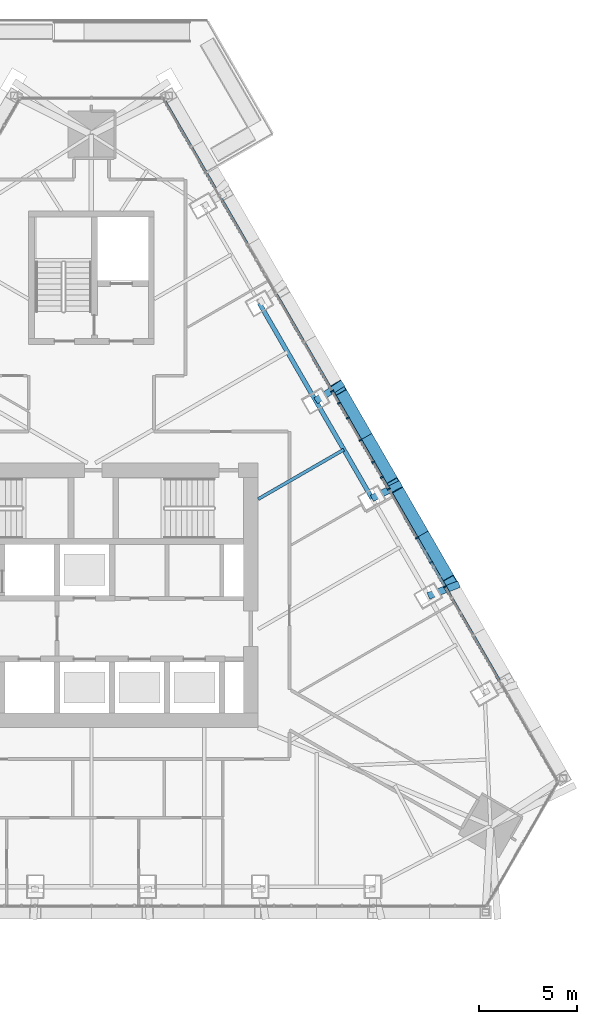
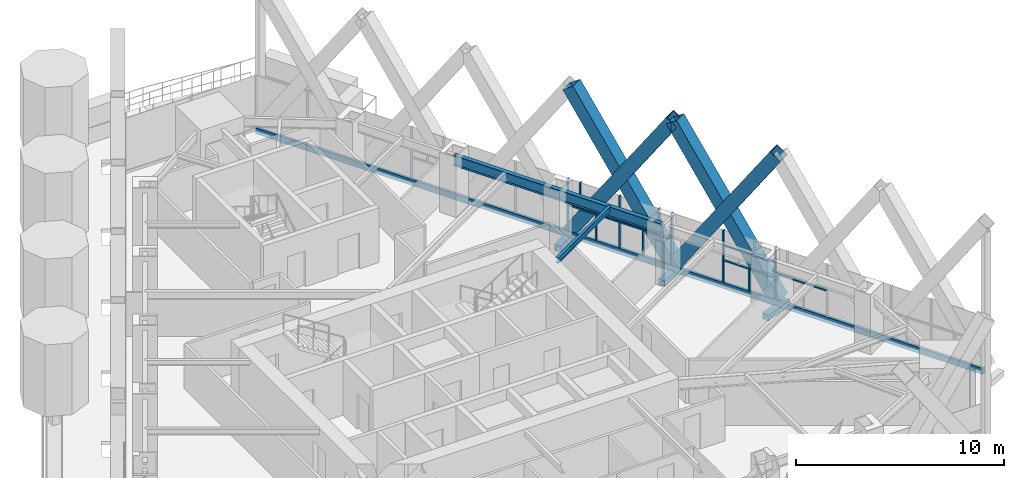
# One storey, part 6 of 24: 23 members, 2 beams, 1 element without a shape of its own.
"""IFC4 building model written with IfcOpenShell, lengths in metres."""

from ifc_helpers import new_model, si_unit, direction, frame, origin, origin_2d, place, context, subcontext, project, spatial, rectangle, hollow_rectangle, i_section, extrude, material, layer, layer_set, material_profile, profile_set, type_object, element, aggregate, save


model = new_model("IFC4")

# Units and contexts
model_context = context("Model", 3, precision=1e-05, world=origin(), true_north=direction((0.0, 1.0)))
body_context = subcontext(model_context, "Body", "Model", "MODEL_VIEW")
ifc_project = project(units=[si_unit("LENGTHUNIT", "METRE"), si_unit("AREAUNIT", "SQUARE_METRE"), si_unit("VOLUMEUNIT", "CUBIC_METRE"), si_unit("PLANEANGLEUNIT", "RADIAN"), si_unit("MASSUNIT", "GRAM", prefix="KILO")], contexts=[model_context])

# Site, building, storey
site_placement = place(None, origin())
site = spatial("IfcSite", under=ifc_project, at=site_placement, CompositionType="ELEMENT")
building_placement = place(site_placement, origin())
building = spatial("IfcBuilding", under=site, at=building_placement, Name="Firuza Gate Tower and Library", CompositionType="ELEMENT")
storey_placement = place(building_placement, frame((0.0, 0.0, 323.10009765625)))
storey = spatial("IfcBuildingStorey", under=building, at=storey_placement, Name="L79", CompositionType="ELEMENT", Elevation=323.10009765625)

# Members
ifc_material_1 = material(Name="Steel S355", Category="steel")
ifc_material_profile_1 = material_profile(ifc_material_1, hollow_rectangle(XDim=0.699951171875, YDim=0.699951171875, WallThickness=0.030029296875, at=origin_2d()))
ifc_profile_set_1 = profile_set([ifc_material_profile_1], Name="Steel S355")
member_type_1 = type_object("IfcMemberType", Name="BU700x700x30 Lattice brace", PredefinedType="BRACE", material=ifc_profile_set_1)
for number, where, z_axis, x_axis, name in (
    (1, (93.306396484375, 75.620361328125, 0.0), (-0.279961464902, 0.484887355268, 0.82855647416), (-0.866016417261, -0.500015564793, 0.0), "Lattice brace E 21.3R"),
    (2, (90.434326171875, 80.5947265625, 0.0), (0.279961464902, -0.484887355268, 0.82855647416), (0.866016417261, 0.500015564793, 0.0), "Lattice brace E 21.3L"),
    (3, (90.434326171875, 80.5947265625, 0.0), (-0.279939531792, 0.484890585756, 0.828561994292), (-0.866034822164, -0.499983686533, 0.0), "Lattice brace E 21.4R"),
    (4, (87.5625, 85.569091796875, 0.0), (0.279939531792, -0.484890585756, 0.828561994292), (0.866034822164, 0.499983686533, 0.0), "Lattice brace E 21.4L"),
):
    element("IfcMember", number, at=place(storey_placement, frame(where, z_axis=z_axis, x_axis=x_axis)), inside=storey, type_object=member_type_1, Name=name, PredefinedType="BRACE", context=body_context, shape_type="SweptSolid", body=[
        extrude(hollow_rectangle(XDim=0.699951171875, YDim=0.699951171875, WallThickness=0.030029296875, at=origin_2d()), origin(), (0.0, 0.0, 1.0), 10.2587890625),
    ])

# Curtain wall, members
ifc_material_2 = material(Name="Aluminium 6063-T6", Category="aluminium")
ifc_layer = layer(ifc_material_2, 0.14990234375)
ifc_layer_set = layer_set([ifc_layer], Name="Unitised curtain wall, residences")
curtain_wall_type = type_object("IfcCurtainWallType", Name="Unitised curtain wall, residences", PredefinedType="NOTDEFINED", material=ifc_layer_set)
curtain_wall_placement = place(storey_placement, origin())
curtain_wall = element("IfcCurtainWall", 5, at=curtain_wall_placement, inside=storey, type_object=curtain_wall_type, Name="CW3 L79 E face", PredefinedType="NOTDEFINED")
ifc_material_3 = material(Name="Aluminium 6063-T6", Category="aluminium")
ifc_material_profile_2 = material_profile(ifc_material_3, rectangle(XDim=0.14990234375, YDim=0.080078125, at=origin_2d()))
ifc_profile_set_2 = profile_set([ifc_material_profile_2], Name="Aluminium 6063-T6")
member_type_2 = type_object("IfcMemberType", Name="Curtain wall mullion 80x150", PredefinedType="MULLION", material=ifc_profile_set_2)
member_1_placement = place(storey_placement, frame((93.0341796875, 75.441650390625, 0.14990234375), z_axis=(0.0, 0.0, 1.0), x_axis=(-0.866025403784, -0.5, 0.0)))
member_1 = element("IfcMember", 6, at=member_1_placement, type_object=member_type_2, Name="Mullion", PredefinedType="MULLION", context=body_context, shape_type="SweptSolid", body=[
    extrude(rectangle(XDim=0.14990234375, YDim=0.080078125, at=origin_2d()), origin(), (0.0, 0.0, 1.0), 3.050048828125),
])
member_2_placement = place(storey_placement, frame((91.59521484375, 77.934326171875, 0.14990234375), z_axis=(0.0, 0.0, 1.0), x_axis=(-0.866025403784, -0.5, 0.0)))
member_2 = element("IfcMember", 7, at=member_2_placement, type_object=member_type_2, Name="Mullion", PredefinedType="MULLION", context=body_context, shape_type="SweptSolid", body=[
    extrude(rectangle(XDim=0.14990234375, YDim=0.080078125, at=origin_2d()), origin(), (0.0, 0.0, 1.0), 3.050048828125),
])
member_3_placement = place(storey_placement, frame((90.156005859375, 80.427001953125, 0.14990234375), z_axis=(0.0, 0.0, 1.0), x_axis=(-0.866025403784, -0.5, 0.0)))
member_3 = element("IfcMember", 8, at=member_3_placement, type_object=member_type_2, Name="Mullion", PredefinedType="MULLION", context=body_context, shape_type="SweptSolid", body=[
    extrude(rectangle(XDim=0.14990234375, YDim=0.080078125, at=origin_2d()), origin(), (0.0, 0.0, 1.0), 3.050048828125),
])
member_4_placement = place(storey_placement, frame((88.717041015625, 82.91943359375, 0.14990234375), z_axis=(0.0, 0.0, 1.0), x_axis=(-0.866025403784, -0.5, 0.0)))
member_4 = element("IfcMember", 9, at=member_4_placement, type_object=member_type_2, Name="Mullion", PredefinedType="MULLION", context=body_context, shape_type="SweptSolid", body=[
    extrude(rectangle(XDim=0.14990234375, YDim=0.080078125, at=origin_2d()), origin(), (0.0, 0.0, 1.0), 3.050048828125),
])
member_5_placement = place(storey_placement, frame((87.27783203125, 85.412109375, 0.14990234375), z_axis=(0.0, 0.0, 1.0), x_axis=(-0.866025403784, -0.5, 0.0)))
member_5 = element("IfcMember", 10, at=member_5_placement, type_object=member_type_2, Name="Mullion", PredefinedType="MULLION", context=body_context, shape_type="SweptSolid", body=[
    extrude(rectangle(XDim=0.14990234375, YDim=0.080078125, at=origin_2d()), origin(), (0.0, 0.0, 1.0), 3.050048828125),
])
member_6_placement = place(storey_placement, frame((92.31494140625, 76.687744140625, 0.14990234375), z_axis=(0.0, 0.0, 1.0), x_axis=(-0.866025403784, -0.5, 0.0)))
member_6 = element("IfcMember", 11, at=member_6_placement, type_object=member_type_2, Name="Mullion", PredefinedType="MULLION", context=body_context, shape_type="SweptSolid", body=[
    extrude(rectangle(XDim=0.14990234375, YDim=0.080078125, at=origin_2d()), origin(), (0.0, 0.0, 1.0), 1.260009765625),
])
member_7_placement = place(storey_placement, frame((89.36669921875, 81.7939453125, 0.14990234375), z_axis=(0.0, 0.0, 1.0), x_axis=(-0.866025403784, -0.5, 0.0)))
member_7 = element("IfcMember", 12, at=member_7_placement, type_object=member_type_2, Name="Mullion", PredefinedType="MULLION", context=body_context, shape_type="SweptSolid", body=[
    extrude(rectangle(XDim=0.14990234375, YDim=0.080078125, at=origin_2d()), origin(), (0.0, 0.0, 1.0), 1.485107421875),
])
member_8_placement = place(storey_placement, frame((89.80712890625, 81.03125, 1.71484375), z_axis=(0.0, 0.0, 1.0), x_axis=(-0.866025403784, -0.5, 0.0)))
member_8 = element("IfcMember", 13, at=member_8_placement, type_object=member_type_2, Name="Mullion", PredefinedType="MULLION", context=body_context, shape_type="SweptSolid", body=[
    extrude(rectangle(XDim=0.14990234375, YDim=0.080078125, at=origin_2d()), origin(), (0.0, 0.0, 1.0), 1.485107421875),
])
member_9_placement = place(storey_placement, frame((88.067138671875, 84.045166015625, 0.14990234375), z_axis=(0.0, 0.0, 1.0), x_axis=(-0.866025403784, -0.5, 0.0)))
member_9 = element("IfcMember", 14, at=member_9_placement, type_object=member_type_2, Name="Mullion", PredefinedType="MULLION", context=body_context, shape_type="SweptSolid", body=[
    extrude(rectangle(XDim=0.14990234375, YDim=0.080078125, at=origin_2d()), origin(), (0.0, 0.0, 1.0), 1.485107421875),
])
member_10_placement = place(storey_placement, frame((87.626708984375, 84.807861328125, 1.71484375), z_axis=(0.0, 0.0, 1.0), x_axis=(-0.866025403784, -0.5, 0.0)))
member_10 = element("IfcMember", 15, at=member_10_placement, type_object=member_type_2, Name="Mullion", PredefinedType="MULLION", context=body_context, shape_type="SweptSolid", body=[
    extrude(rectangle(XDim=0.14990234375, YDim=0.080078125, at=origin_2d()), origin(), (0.0, 0.0, 1.0), 1.485107421875),
])
ifc_material_4 = material(Name="Aluminium 6063-T6", Category="aluminium")
ifc_material_profile_3 = material_profile(ifc_material_4, rectangle(XDim=0.14990234375, YDim=0.35009765625, at=origin_2d()))
ifc_profile_set_3 = profile_set([ifc_material_profile_3], Name="Aluminium 6063-T6")
member_type_3 = type_object("IfcMemberType", Name="Curtain wall transom 350x150", PredefinedType="USERDEFINED", material=ifc_profile_set_3)
member_11_placement = place(storey_placement, frame((98.79052734375, 65.471435546875, -0.025146484375), z_axis=(-0.499997451964, 0.866026874889, 0.0), x_axis=(-0.866026874889, -0.499997451964, 0.0)))
member_11 = element("IfcMember", 16, at=member_11_placement, type_object=member_type_3, Name="Transom", ObjectType="TRANSOM", PredefinedType="USERDEFINED", context=body_context, shape_type="SweptSolid", body=[
    extrude(rectangle(XDim=0.14990234375, YDim=0.35009765625, at=origin_2d()), origin(), (0.0, 0.0, 1.0), 40.294677734375),
])
ifc_material_5 = material(Name="Aluminium 6063-T6", Category="aluminium")
ifc_material_profile_4 = material_profile(ifc_material_5, rectangle(XDim=0.14990234375, YDim=0.080078125, at=origin_2d()))
ifc_profile_set_4 = profile_set([ifc_material_profile_4], Name="Aluminium 6063-T6")
member_type_4 = type_object("IfcMemberType", Name="Curtain wall transom 80x150", PredefinedType="USERDEFINED", material=ifc_profile_set_4)
member_12_placement = place(storey_placement, frame((94.453369140625, 72.98388671875, 1.6748046875), z_axis=(-0.500052258409, 0.865995230276, 0.0), x_axis=(-0.865995230276, -0.500052258409, 0.0)))
member_12 = element("IfcMember", 17, at=member_12_placement, type_object=member_type_4, Name="Transom", ObjectType="TRANSOM", PredefinedType="USERDEFINED", context=body_context, shape_type="SweptSolid", body=[
    extrude(rectangle(XDim=0.14990234375, YDim=0.080078125, at=origin_2d()), origin(), (0.0, 0.0, 1.0), 2.798095703125),
])
member_13_placement = place(storey_placement, frame((93.01416015625, 75.476318359375, 1.449951171875), z_axis=(-0.499949037577, 0.866054824954, 0.0), x_axis=(-0.866054824954, -0.499949037577, 0.0)))
member_13 = element("IfcMember", 18, at=member_13_placement, type_object=member_type_4, Name="Transom", ObjectType="TRANSOM", PredefinedType="USERDEFINED", context=body_context, shape_type="SweptSolid", body=[
    extrude(rectangle(XDim=0.14990234375, YDim=0.080078125, at=origin_2d()), origin(), (0.0, 0.0, 1.0), 2.798095703125),
])
member_14_placement = place(storey_placement, frame((93.01416015625, 75.476318359375, 2.324951171875), z_axis=(-0.499949037577, 0.866054824954, 0.0), x_axis=(-0.866054824954, -0.499949037577, 0.0)))
member_14 = element("IfcMember", 19, at=member_14_placement, type_object=member_type_4, Name="Transom", ObjectType="TRANSOM", PredefinedType="USERDEFINED", context=body_context, shape_type="SweptSolid", body=[
    extrude(rectangle(XDim=0.14990234375, YDim=0.080078125, at=origin_2d()), origin(), (0.0, 0.0, 1.0), 2.798095703125),
])
member_15_placement = place(storey_placement, frame((90.135986328125, 80.46142578125, 1.6748046875), z_axis=(-0.499949037577, 0.866054824954, 0.0), x_axis=(-0.866054824954, -0.499949037577, 0.0)))
member_15 = element("IfcMember", 20, at=member_15_placement, type_object=member_type_4, Name="Transom", ObjectType="TRANSOM", PredefinedType="USERDEFINED", context=body_context, shape_type="SweptSolid", body=[
    extrude(rectangle(XDim=0.14990234375, YDim=0.080078125, at=origin_2d()), origin(), (0.0, 0.0, 1.0), 2.798095703125),
])
member_16_placement = place(storey_placement, frame((88.697021484375, 82.9541015625, 1.6748046875), z_axis=(-0.500014476097, 0.866017045845, 0.0), x_axis=(-0.866017045845, -0.500014476097, 0.0)))
member_16 = element("IfcMember", 21, at=member_16_placement, type_object=member_type_4, Name="Transom", ObjectType="TRANSOM", PredefinedType="USERDEFINED", context=body_context, shape_type="SweptSolid", body=[
    extrude(rectangle(XDim=0.14990234375, YDim=0.080078125, at=origin_2d()), origin(), (0.0, 0.0, 1.0), 2.79833984375),
])
aggregate(curtain_wall, [member_1, member_2, member_3, member_4, member_5, member_11, member_12, member_6, member_13, member_14, member_7, member_8, member_15, member_9, member_10, member_16])

# Members
ifc_material_6 = material(Name="Steel S355", Category="steel")
ifc_material_profile_5 = material_profile(ifc_material_6, hollow_rectangle(XDim=0.355712890625, YDim=0.355712890625, WallThickness=0.014892578125, at=origin_2d()))
ifc_profile_set_5 = profile_set([ifc_material_profile_5], Name="Steel S355")
member_type_5 = type_object("IfcMemberType", Name="HSS356x356x16 Lattice node tie", PredefinedType="BRACE", material=ifc_profile_set_5)
for number, where, z_axis, x_axis, name in (
    (22, (86.4365234375, 84.919189453125, -0.320068359375), (0.838272003294, 0.545252279677, 0.0), (-0.545252279677, 0.838272003294, 0.0), "Lattice node tie E L79 570"),
    (23, (89.30859375, 79.94482421875, -0.320068359375), (0.891373028978, 0.453270474673, 0.0), (-0.453270474673, 0.891373028978, 0.0), "Lattice node tie E L79 571"),
):
    element("IfcMember", number, at=place(storey_placement, frame(where, z_axis=z_axis, x_axis=x_axis)), inside=storey, type_object=member_type_5, Name=name, PredefinedType="BRACE", context=body_context, shape_type="SweptSolid", body=[
        extrude(hollow_rectangle(XDim=0.355712890625, YDim=0.355712890625, WallThickness=0.014892578125, at=origin_2d()), origin(), (0.0, 0.0, 1.0), 1.657958984375),
    ])
member_17_placement = place(storey_placement, frame((92.1806640625, 74.97021484375, -0.320068359375), z_axis=(0.933907450253, 0.357514858938, 0.0), x_axis=(-0.357514858938, 0.933907450253, 0.0)))
element("IfcMember", 24, at=member_17_placement, inside=storey, type_object=member_type_5, Name="Lattice node tie E L79 572", PredefinedType="BRACE", context=body_context, shape_type="SweptSolid", body=[
    extrude(hollow_rectangle(XDim=0.355712890625, YDim=0.355712890625, WallThickness=0.014892578125, at=origin_2d()), origin(), (0.0, 0.0, 1.0), 1.676513671875),
])

# Beams
ifc_material_7 = material(Name="Steel S355", Category="steel")
ifc_material_profile_6 = material_profile(ifc_material_7, i_section(OverallWidth=0.1650390625, OverallDepth=0.31005859375, WebThickness=0.005859375, FlangeThickness=0.009765625, at=origin_2d()))
ifc_profile_set_6 = profile_set([ifc_material_profile_6], Name="Steel S355")
beam_type_1 = type_object("IfcBeamType", Name="W310x39 Floor beam", PredefinedType="JOIST", material=ifc_profile_set_6)
beam_1_placement = place(storey_placement, frame((87.87255859375, 82.431884765625, 3.044921875), z_axis=(-0.866032592222, -0.499987549055, 0.0), x_axis=(0.499987549055, -0.866032592222, 0.0)))
element("IfcBeam", 25, at=beam_1_placement, inside=storey, type_object=beam_type_1, Name="Floor beam L79 s52", PredefinedType="JOIST", context=body_context, shape_type="SweptSolid", body=[
    extrude(i_section(OverallWidth=0.1650390625, OverallDepth=0.31005859375, WebThickness=0.005859375, FlangeThickness=0.009765625, at=origin_2d()), origin(), (0.0, 0.0, 1.0), 5.049072265625),
])
ifc_material_8 = material(Name="Steel S355", Category="steel")
ifc_material_profile_7 = material_profile(ifc_material_8, i_section(OverallWidth=0.22900390625, OverallDepth=0.612060546875, WebThickness=0.011962890625, FlangeThickness=0.01953125, at=origin_2d()))
ifc_profile_set_7 = profile_set([ifc_material_profile_7], Name="Steel S355")
beam_type_2 = type_object("IfcBeamType", Name="W610x125 Edge beam", PredefinedType="SPANDREL", material=ifc_profile_set_7)
beam_2_placement = place(storey_placement, frame((89.30859375, 79.94482421875, 2.893798828125), z_axis=(-0.499999625917, 0.866025619761, 0.0), x_axis=(-0.866025619761, -0.499999625917, 0.0)))
element("IfcBeam", 26, at=beam_2_placement, inside=storey, type_object=beam_type_2, Name="Edge beam L79 e52", PredefinedType="SPANDREL", context=body_context, shape_type="SweptSolid", body=[
    extrude(i_section(OverallWidth=0.22900390625, OverallDepth=0.612060546875, WebThickness=0.011962890625, FlangeThickness=0.01953125, at=origin_2d()), origin(), (0.0, 0.0, 1.0), 11.48779296875),
])

save(model, "model.ifc")
